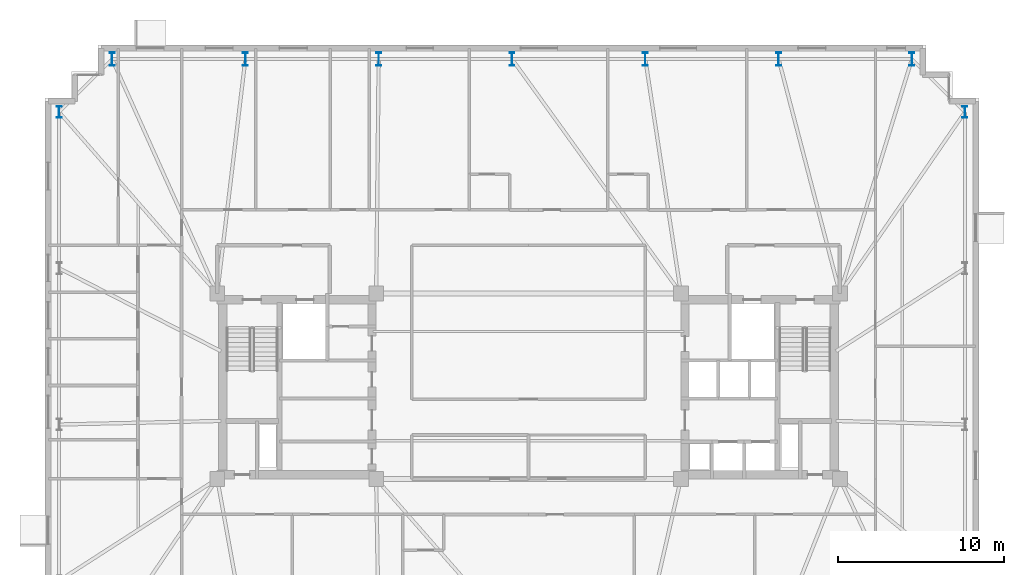
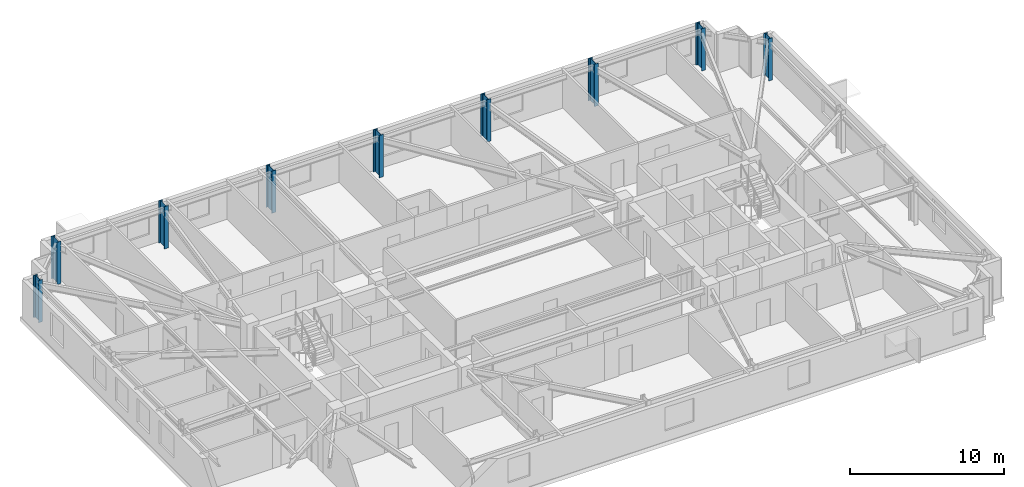
# One storey, part 2 of 17: 9 columns.
"""IFC4 building model written with IfcOpenShell, lengths in metres."""

import ifcopenshell
import ifcopenshell.guid

model = None  # the IFC model being written
_history = None  # IfcOwnerHistory: only IFC2X3 demands one
_inside = {}  # id of a spatial element -> (the spatial element, [elements in it])
_under = {}  # id of a project, library or spatial element -> (it, [spatial elements below it])
_declared = {}  # id of a project -> (the project, [libraries it declares])
_typed = {}  # id of a type object -> (the type object, [elements of that type])
_made_of = {}  # id of a material, layer set ... -> (it, [elements and type objects made of it])


def new_model(schema):
    """Start an empty IFC model of exactly this schema.

    Asked for "IFC4X3", IfcOpenShell would pick the latest addendum, in which some entities
    have other attributes; the version numbers below select the first issue.
    IFC2X3 requires an IfcOwnerHistory on every rooted entity: one is made here for all.
    """
    global model, _history
    if schema == "IFC4X3":
        model = ifcopenshell.file(schema_version=(4, 3, 0, 0))
    else:
        model = ifcopenshell.file(schema=schema)
    _inside.clear()
    _under.clear()
    _declared.clear()
    _typed.clear()
    _made_of.clear()
    _history = None
    if model.schema == "IFC2X3":
        org = make("IfcOrganization", Name="unknown")
        user = make(
            "IfcPersonAndOrganization",
            ThePerson=make("IfcPerson", FamilyName="unknown"),
            TheOrganization=org,
        )
        app = make(
            "IfcApplication",
            ApplicationDeveloper=org,
            Version="unknown",
            ApplicationFullName="unknown",
            ApplicationIdentifier="unknown",
        )
        _history = make(
            "IfcOwnerHistory",
            OwningUser=user,
            OwningApplication=app,
            ChangeAction="ADDED",
            CreationDate=0,
        )
    return model


def make(cls, **values):
    """One entity of the class cls with the attributes given. An attribute that is None is left unset."""
    return model.create_entity(
        cls, **{name: value for name, value in values.items() if value is not None}
    )


def rooted(cls, **values):
    """An entity with a GlobalId (a new one), such as an element, a storey or a relation."""
    return make(cls, GlobalId=ifcopenshell.guid.new(), OwnerHistory=_history, **values)


def si_unit(unit_type, name, prefix=None):
    """IfcSIUnit, for example si_unit("LENGTHUNIT", "METRE", prefix="MILLI")."""
    return make("IfcSIUnit", UnitType=unit_type, Prefix=prefix, Name=name)


def assignment(units):
    """IfcUnitAssignment: the units of a project."""
    return None if units is None else make("IfcUnitAssignment", Units=units)


def point(xyz):
    """IfcCartesianPoint."""
    return None if xyz is None else make("IfcCartesianPoint", Coordinates=xyz)


def direction(xyz):
    """IfcDirection."""
    return None if xyz is None else make("IfcDirection", DirectionRatios=xyz)


def frame(location, z_axis=None, x_axis=None):
    """IfcAxis2Placement3D, a coordinate frame: its origin and axes. An axis left out is left unset."""
    return make(
        "IfcAxis2Placement3D",
        Location=point(location),
        Axis=direction(z_axis),
        RefDirection=direction(x_axis),
    )


def frame_2d(location, x_axis=None):
    """IfcAxis2Placement2D, a coordinate frame in the plane: its origin and x axis."""
    return make(
        "IfcAxis2Placement2D", Location=point(location), RefDirection=direction(x_axis)
    )


def origin():
    """The frame at (0, 0, 0) with its axes left unset."""
    return frame((0.0, 0.0, 0.0))


def origin_2d():
    """The frame at (0, 0) in the plane with its x axis left unset."""
    return frame_2d((0.0, 0.0))


def place(relative_to, where):
    """IfcLocalPlacement: puts the frame where relative to a parent placement (None: the world)."""
    return make(
        "IfcLocalPlacement", PlacementRelTo=relative_to, RelativePlacement=where
    )


def context(
    kind, dimensions, precision=None, world=None, true_north=None, identifier=None
):
    """IfcGeometricRepresentationContext, for example the 3D "Model" context."""
    return make(
        "IfcGeometricRepresentationContext",
        ContextIdentifier=identifier,
        ContextType=kind,
        CoordinateSpaceDimension=dimensions,
        Precision=precision,
        WorldCoordinateSystem=world,
        TrueNorth=true_north,
    )


def subcontext(parent, identifier, kind, view, scale=None):
    """IfcGeometricRepresentationSubContext, for example "Body" below "Model"."""
    return make(
        "IfcGeometricRepresentationSubContext",
        ContextIdentifier=identifier,
        ContextType=kind,
        ParentContext=parent,
        TargetScale=scale,
        TargetView=view,
    )


def project(units=None, contexts=None):
    """IfcProject with its units and contexts."""
    return rooted(
        "IfcProject",
        Name="project",
        RepresentationContexts=contexts,
        UnitsInContext=assignment(units),
    )


def spatial(cls, under=None, at=None, **own):
    """A site, building, storey or space (cls), placed at a placement, below another one or the project."""
    s = rooted(cls, ObjectPlacement=at, **own)
    if under is not None:
        _under.setdefault(under.id(), (under, []))[1].append(s)
    return s


def profile(cls, at=None, kind="AREA", **sizes):
    """A parametric profile (cls). Its sizes go by their IFC names, for example OverallWidth=200.0."""
    return make(cls, ProfileType=kind, Position=at, **sizes)


def i_section(**sizes):
    """IfcIShapeProfileDef."""
    return profile("IfcIShapeProfileDef", **sizes)


def extrude(swept, where, along, depth):
    """IfcExtrudedAreaSolid: the profile swept, set in the frame where, extruded along a direction by depth."""
    return make(
        "IfcExtrudedAreaSolid",
        SweptArea=swept,
        Position=where,
        ExtrudedDirection=direction(along),
        Depth=depth,
    )


def shape(context_of_items, identifier, shape_type, items):
    """IfcShapeRepresentation: the items that make up one representation, for example the "Body"."""
    return make(
        "IfcShapeRepresentation",
        ContextOfItems=context_of_items,
        RepresentationIdentifier=identifier,
        RepresentationType=shape_type,
        Items=items,
    )


def material(Name=None, Category=None):
    """IfcMaterial."""
    return make("IfcMaterial", Name=Name, Category=Category)


def material_profile(
    of_material, cross_section, Name=None, Category=None, Priority=None
):
    """IfcMaterialProfile: a cross section and its material."""
    return make(
        "IfcMaterialProfile",
        Name=Name,
        Material=of_material,
        Profile=cross_section,
        Priority=Priority,
        Category=Category,
    )


def profile_set(profiles, Name=None, composite=None):
    """IfcMaterialProfileSet."""
    return make(
        "IfcMaterialProfileSet",
        Name=Name,
        MaterialProfiles=profiles,
        CompositeProfile=composite,
    )


def made_of(thing, what):
    """Note that an element or type object is made of a material, layer set ...; save() writes the relation."""
    if what is not None:
        _made_of.setdefault(what.id(), (what, []))[1].append(thing)
    return thing


def type_object(cls, material=None, **own):
    """A type object (cls), such as IfcWallType, which elements share."""
    return made_of(rooted(cls, **own), material)


def element(
    cls,
    number,
    at=None,
    inside=None,
    cuts=None,
    type_object=None,
    material=None,
    context=None,
    identifier="Body",
    shape_type=None,
    held_by="IfcProductDefinitionShape",
    body=None,
    shapes=None,
    **own,
):
    """One element of the class cls, such as IfcWall. Its Tag is "e" and its number.

    at: its placement. inside: the storey or other place that contains it. cuts: it is an
    opening in that element (IfcRelVoidsElement). A single representation is given by context,
    identifier, shape_type and body (its items); several are given by shapes. held_by: the class
    of the entity that holds the representations. save() writes the other relations.
    """
    e = rooted(cls, Tag="e%d" % number, ObjectPlacement=at, **own)
    if body is not None:
        shapes = [shape(context, identifier, shape_type, body)]
    if shapes is not None:
        e.Representation = make(held_by, Representations=shapes)
    if inside is not None:
        _inside.setdefault(inside.id(), (inside, []))[1].append(e)
    if cuts is not None:
        rooted(
            "IfcRelVoidsElement", RelatingBuildingElement=cuts, RelatedOpeningElement=e
        )
    if type_object is not None:
        _typed.setdefault(type_object.id(), (type_object, []))[1].append(e)
    return made_of(e, material)


def aggregate(whole, parts):
    """IfcRelAggregates: a whole, such as a stair, and the parts it consists of."""
    return rooted("IfcRelAggregates", RelatingObject=whole, RelatedObjects=parts)


def save(model, path):
    """Write the relations noted so far, then the file.

    IfcRelAggregates (storeys below a building ...), IfcRelContainedInSpatialStructure (elements
    in a storey), IfcRelDefinesByType, IfcRelAssociatesMaterial and IfcRelDeclares: one each for
    every whole, place, type object, material and project.
    """
    for whole, parts in _under.values():
        aggregate(whole, parts)
    for where, things in _inside.values():
        rooted(
            "IfcRelContainedInSpatialStructure",
            RelatedElements=things,
            RelatingStructure=where,
        )
    for kind, things in _typed.values():
        rooted("IfcRelDefinesByType", RelatedObjects=things, RelatingType=kind)
    for what, things in _made_of.values():
        rooted("IfcRelAssociatesMaterial", RelatedObjects=things, RelatingMaterial=what)
    for by, libraries in _declared.values():
        rooted("IfcRelDeclares", RelatingContext=by, RelatedDefinitions=libraries)
    model.write(path)


model = new_model("IFC4")

# Units and contexts
model_context = context("Model", 3, precision=1e-05, world=origin(), true_north=direction((0.0, 1.0)))
body_context = subcontext(model_context, "Body", "Model", "MODEL_VIEW")
ifc_project = project(units=[si_unit("LENGTHUNIT", "METRE"), si_unit("AREAUNIT", "SQUARE_METRE"), si_unit("VOLUMEUNIT", "CUBIC_METRE"), si_unit("PLANEANGLEUNIT", "RADIAN"), si_unit("MASSUNIT", "GRAM", prefix="KILO")], contexts=[model_context])

# Site, building, storey
site_placement = place(None, origin())
site = spatial("IfcSite", under=ifc_project, at=site_placement, CompositionType="ELEMENT")
building_placement = place(site_placement, origin())
building = spatial("IfcBuilding", under=site, at=building_placement, Name="Qobustan Lattice House", CompositionType="ELEMENT")
storey_placement = place(building_placement, frame((0.0, 0.0, 167.85009765625)))
storey = spatial("IfcBuildingStorey", under=building, at=storey_placement, Name="L47", CompositionType="ELEMENT", Elevation=167.85009765625)

# Columns
ifc_material_1 = material(Name="Steel S355", Category="steel")
ifc_material_profile_1 = material_profile(ifc_material_1, i_section(OverallWidth=0.300048828125, OverallDepth=0.699951171875, WebThickness=0.01708984375, FlangeThickness=0.031982421875, FilletRadius=0.027099609375, at=origin_2d()), Name="HEB700")
ifc_profile_set_1 = profile_set([ifc_material_profile_1], Name="Steel S355")
column_type_1 = type_object("IfcColumnType", Name="COL-ST-HEB700", PredefinedType="COLUMN", material=ifc_profile_set_1)
for number, where, z_axis, x_axis, name in (
    (1, (26.35009765625, 16.550048828125, 0.0), (0.0, 0.0, 1.0), (1.0, 0.0, 0.0), "L47 B3 perimeter column E4"),
    (2, (-28.35009765625, 16.550048828125, 0.0), (0.0, 0.0, 1.0), (1.0, 0.0, 0.0), "L47 B3 perimeter column W1"),
):
    element("IfcColumn", number, at=place(storey_placement, frame(where, z_axis=z_axis, x_axis=x_axis)), inside=storey, type_object=column_type_1, Name=name, PredefinedType="COLUMN", context=body_context, shape_type="SweptSolid", body=[
        extrude(i_section(OverallWidth=0.300048828125, OverallDepth=0.699951171875, WebThickness=0.01708984375, FlangeThickness=0.031982421875, FilletRadius=0.027099609375, at=origin_2d()), origin(), (0.0, 0.0, 1.0), 3.349853515625),
    ])
ifc_material_2 = material(Name="Steel S355", Category="steel")
ifc_material_profile_2 = material_profile(ifc_material_2, i_section(OverallWidth=0.300048828125, OverallDepth=0.800048828125, WebThickness=0.017578125, FlangeThickness=0.032958984375, FilletRadius=0.030029296875, at=origin_2d()), Name="HEB800")
ifc_profile_set_2 = profile_set([ifc_material_profile_2], Name="Steel S355")
column_type_2 = type_object("IfcColumnType", Name="COL-ST-HEB800", PredefinedType="COLUMN", material=ifc_profile_set_2)
for number, where, z_axis, x_axis, name in (
    (3, (23.14990234375, 19.75, 0.0), (0.0, 0.0, 1.0), (1.0, 0.0, 0.0), "L47 B3 perimeter column N1"),
    (4, (15.10009765625, 19.75, 0.0), (0.0, 0.0, 1.0), (1.0, 0.0, 0.0), "L47 B3 perimeter column N2"),
    (5, (7.050048828125, 19.75, 0.0), (0.0, 0.0, 1.0), (1.0, 0.0, 0.0), "L47 B3 perimeter column N3"),
    (6, (-1.0, 19.75, 0.0), (0.0, 0.0, 1.0), (1.0, 0.0, 0.0), "L47 B3 perimeter column N4"),
    (7, (-9.050048828125, 19.75, 0.0), (0.0, 0.0, 1.0), (1.0, 0.0, 0.0), "L47 B3 perimeter column N5"),
    (8, (-17.10009765625, 19.75, 0.0), (0.0, 0.0, 1.0), (1.0, 0.0, 0.0), "L47 B3 perimeter column N6"),
    (9, (-25.14990234375, 19.75, 0.0), (0.0, 0.0, 1.0), (1.0, 0.0, 0.0), "L47 B3 perimeter column N7"),
):
    element("IfcColumn", number, at=place(storey_placement, frame(where, z_axis=z_axis, x_axis=x_axis)), inside=storey, type_object=column_type_2, Name=name, PredefinedType="COLUMN", context=body_context, shape_type="SweptSolid", body=[
        extrude(i_section(OverallWidth=0.300048828125, OverallDepth=0.800048828125, WebThickness=0.017578125, FlangeThickness=0.032958984375, FilletRadius=0.030029296875, at=origin_2d()), origin(), (0.0, 0.0, 1.0), 3.349853515625),
    ])

save(model, "model.ifc")
